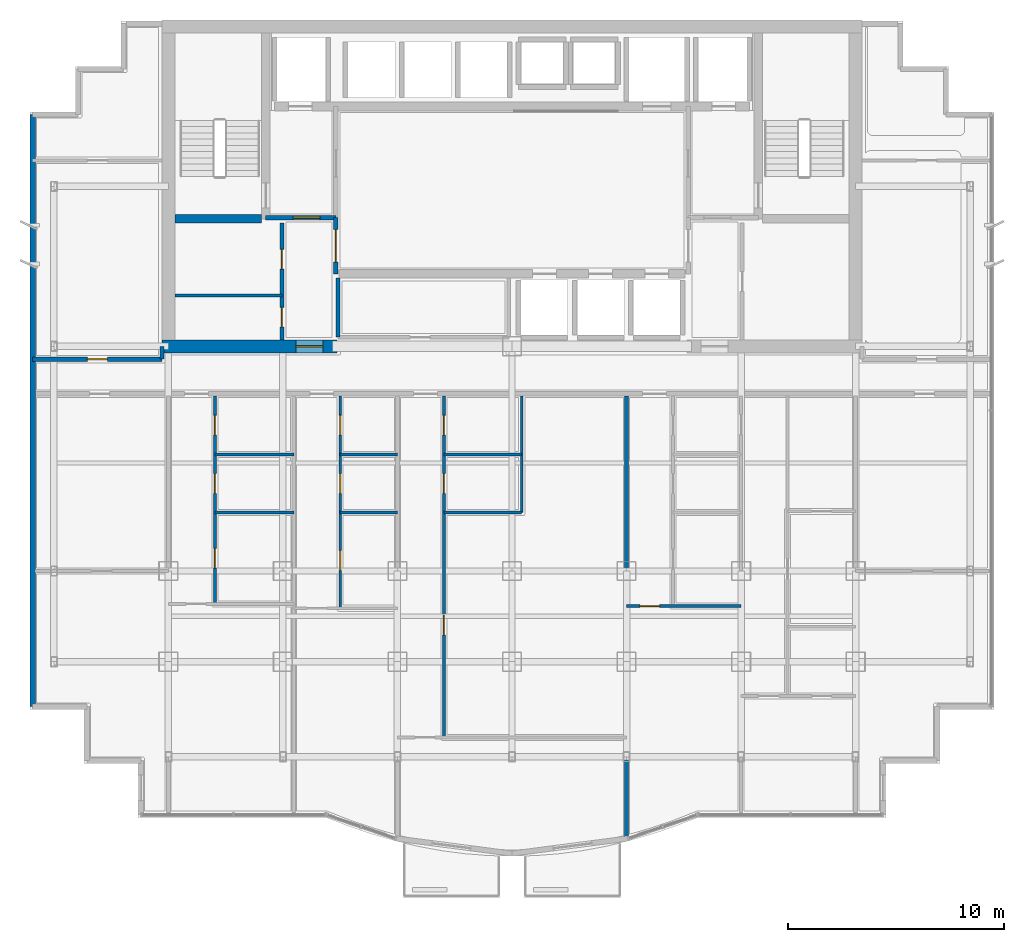
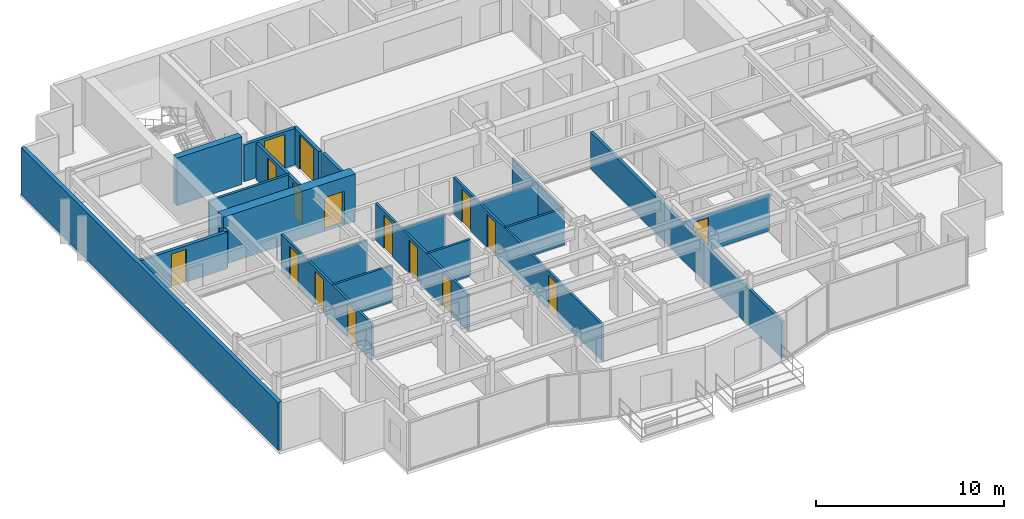
# One storey, part 8 of 13: 22 walls, 16 doors, 16 openings.
"""IFC4 building model written with IfcOpenShell, lengths in metres."""

from ifc_helpers import new_model, si_unit, direction, frame, frame_2d, origin, place, context, subcontext, project, spatial, rectangle, extrude, material, layer, layer_set, type_object, element, fill, save


model = new_model("IFC4")

# Units and contexts
model_context = context("Model", 3, precision=1e-05, world=origin(), true_north=direction((0.0, 1.0)))
body_context = subcontext(model_context, "Body", "Model", "MODEL_VIEW")
ifc_project = project(units=[si_unit("LENGTHUNIT", "METRE"), si_unit("AREAUNIT", "SQUARE_METRE"), si_unit("VOLUMEUNIT", "CUBIC_METRE"), si_unit("PLANEANGLEUNIT", "RADIAN"), si_unit("MASSUNIT", "GRAM", prefix="KILO")], contexts=[model_context])

# Site, building, storey
site_placement = place(None, origin())
site = spatial("IfcSite", under=ifc_project, at=site_placement, CompositionType="ELEMENT")
building_placement = place(site_placement, origin())
building = spatial("IfcBuilding", under=site, at=building_placement, Name="Qianlan Lanfeng Residences", CompositionType="ELEMENT")
storey_placement = place(building_placement, frame((0.0, 0.0, 139.199951171875)))
storey = spatial("IfcBuildingStorey", under=building, at=storey_placement, Name="L37", CompositionType="ELEMENT", Elevation=139.199951171875)

# Wall
ifc_material_1 = material(Name="Concrete C56", Category="concrete")
ifc_layer_1 = layer(ifc_material_1, 0.39990234375)
ifc_layer_set_1 = layer_set([ifc_layer_1], Name="Concrete C56")
wall_type_1 = type_object("IfcWallType", Name="CW-RC-400", PredefinedType="SHEAR", material=ifc_layer_set_1)
wall_1_placement = place(storey_placement, frame((10.89990234375, 31.10009765625, 0.0), z_axis=(0.0, 0.0, 1.0), x_axis=(1.0, 0.0, 0.0)))
element("IfcWall", 1, at=wall_1_placement, inside=storey, type_object=wall_type_1, Name="L37 Core Shear Wall ST1S", PredefinedType="SHEAR", context=body_context, shape_type="SweptSolid", body=[
    extrude(rectangle(XDim=4.0, YDim=0.39990234375, at=frame_2d((2.0, 0.0))), origin(), (0.0, 0.0, 1.0), 3.10009765625),
])

# Wall, opening, door
ifc_layer_2 = layer(ifc_material_1, 0.60009765625)
ifc_layer_set_2 = layer_set([ifc_layer_2], Name="Concrete C56")
wall_type_2 = type_object("IfcWallType", Name="CW-RC-600", PredefinedType="SHEAR", material=ifc_layer_set_2)
wall_2_placement = place(storey_placement, frame((10.300048828125, 25.199951171875, 0.0), z_axis=(0.0, 0.0, 1.0), x_axis=(1.0, 0.0, 0.0)))
wall_2 = element("IfcWall", 2, at=wall_2_placement, inside=storey, type_object=wall_type_2, Name="L37 Core Shear Wall SW", PredefinedType="SHEAR", context=body_context, shape_type="SweptSolid", body=[
    extrude(rectangle(XDim=8.099853515625, YDim=0.60009765625, at=frame_2d((4.0498046875, 0.0))), origin(), (0.0, 0.0, 1.0), 3.10009765625),
])
opening_1_placement = place(wall_2_placement, frame((6.199951171875, 0.0, 0.0)))
opening_1 = element("IfcOpeningElement", 3, at=opening_1_placement, cuts=wall_2, Name="Opening L37-D01", PredefinedType="OPENING", context=body_context, shape_type="SweptSolid", body=[
    extrude(rectangle(XDim=1.25, YDim=2.199951171875, at=frame_2d((0.625, 1.10009765625))), frame((0.0, 0.31005859375, 0.0), z_axis=(0.0, -1.0, 0.0), x_axis=(1.0, 0.0, 0.0)), (0.0, 0.0, 1.0), 0.6201171875),
])
ifc_material_2 = material(Name="Painted Galvanised Steel Fire Door", Category="steel")
door_type_1 = type_object("IfcDoorType", Name="DT-FFL", OperationType="NOTDEFINED", PredefinedType="DOOR", material=ifc_material_2)
door_1_placement = place(opening_1_placement, frame((1.25, 0.0, 0.0), z_axis=(0.0, 0.0, 1.0), x_axis=(-1.0, 0.0, 0.0)))
door_1 = element("IfcDoor", 4, at=door_1_placement, inside=storey, type_object=door_type_1, Name="L37 West Core Lobby Smoke Door L37-D01 (DT-FFL)", OperationType="SINGLE_SWING_RIGHT", OverallHeight=2.199951171875, OverallWidth=1.25, PredefinedType="DOOR", context=body_context, shape_type="SweptSolid", body=[
    extrude(rectangle(XDim=1.25, YDim=2.199951171875, at=frame_2d((0.625, 1.10009765625))), frame((0.0, 0.02490234375, 0.0), z_axis=(0.0, -1.0, 0.0), x_axis=(1.0, 0.0, 0.0)), (0.0, 0.0, 1.0), 0.050048828125),
])
fill(opening_1, door_1)

# Wall
ifc_material_3 = material(Name="Concrete C42", Category="concrete")
ifc_layer_3 = layer(ifc_material_3, 0.239990234375)
ifc_layer_set_3 = layer_set([ifc_layer_3], Name="Concrete C42")
wall_type_3 = type_object("IfcWallType", Name="EW-240", PredefinedType="SOLIDWALL", material=ifc_layer_set_3)
wall_3_placement = place(storey_placement, frame((4.320068359375, 35.929931640625, 0.0), z_axis=(0.0, 0.0, 1.0), x_axis=(0.0, -1.0, 0.0)))
element("IfcWall", 5, at=wall_3_placement, inside=storey, type_object=wall_type_3, Name="L37 Exterior Facade Spandrel Wall 21", PredefinedType="SOLIDWALL", context=body_context, shape_type="SweptSolid", body=[
    extrude(rectangle(XDim=27.409912109375, YDim=0.239990234375, at=frame_2d((13.705078125, 0.0))), origin(), (0.0, 0.0, 1.0), 3.10009765625),
])

# Wall, openings, doors
ifc_material_4 = material(Name="Moisture-Resistant Gypsum Partition 135 mm")
ifc_layer_4 = layer(ifc_material_4, 0.135009765625)
ifc_layer_set_4 = layer_set([ifc_layer_4], Name="Moisture-Resistant Gypsum Partition 135 mm")
wall_type_4 = type_object("IfcWallType", Name="PW-135", PredefinedType="PARTITIONING", material=ifc_layer_set_4)
wall_4_placement = place(storey_placement, frame((12.75, 13.27490234375, 0.0), z_axis=(0.0, 0.0, 1.0), x_axis=(0.0, 1.0, 0.0)))
wall_4 = element("IfcWall", 6, at=wall_4_placement, inside=storey, type_object=wall_type_4, Name="L37 U01 Entry Hall Spine", PredefinedType="PARTITIONING", context=body_context, shape_type="SweptSolid", body=[
    extrude(rectangle(XDim=9.625, YDim=0.135009765625, at=frame_2d((4.8125, 0.0))), origin(), (0.0, 0.0, 1.0), 2.380126953125),
])
opening_2_placement = place(wall_4_placement, frame((1.653076171875, 0.0, 0.0)))
opening_2 = element("IfcOpeningElement", 7, at=opening_2_placement, cuts=wall_4, Name="Opening L37-D17", PredefinedType="OPENING", context=body_context, shape_type="SweptSolid", body=[
    extrude(rectangle(XDim=0.919921875, YDim=2.14990234375, at=frame_2d((0.4599609375, 1.074951171875))), frame((0.0, 0.07763671875, 0.0), z_axis=(0.0, -1.0, 0.0), x_axis=(1.0, 0.0, 0.0)), (0.0, 0.0, 1.0), 0.155029296875),
])
opening_3_placement = place(wall_4_placement, frame((5.114990234375, 0.0, 0.0)))
opening_3 = element("IfcOpeningElement", 8, at=opening_3_placement, cuts=wall_4, Name="Opening L37-D18", PredefinedType="OPENING", context=body_context, shape_type="SweptSolid", body=[
    extrude(rectangle(XDim=0.919921875, YDim=2.14990234375, at=frame_2d((0.4599609375, 1.074951171875))), frame((0.0, 0.07763671875, 0.0), z_axis=(0.0, -1.0, 0.0), x_axis=(1.0, 0.0, 0.0)), (0.0, 0.0, 1.0), 0.155029296875),
])
opening_4_placement = place(wall_4_placement, frame((7.824951171875, 0.0, 0.0)))
opening_4 = element("IfcOpeningElement", 9, at=opening_4_placement, cuts=wall_4, Name="Opening L37-D19", PredefinedType="OPENING", context=body_context, shape_type="SweptSolid", body=[
    extrude(rectangle(XDim=0.89990234375, YDim=2.14990234375, at=frame_2d((0.449951171875, 1.074951171875))), frame((0.0, 0.07763671875, 0.0), z_axis=(0.0, -1.0, 0.0), x_axis=(1.0, 0.0, 0.0)), (0.0, 0.0, 1.0), 0.155029296875),
])
ifc_material_5 = material(Name="Glazed Timber Kitchen/Study Door", Category="wood")
door_type_2 = type_object("IfcDoorType", Name="DT-INT", OperationType="NOTDEFINED", PredefinedType="DOOR", material=ifc_material_5)
door_2_placement = place(opening_2_placement, origin())
door_2 = element("IfcDoor", 10, at=door_2_placement, inside=storey, type_object=door_type_2, Name="L37 U01 Study Door L37-D17 (DT-INT)", OperationType="SINGLE_SWING_LEFT", OverallHeight=2.14990234375, OverallWidth=0.919921875, PredefinedType="DOOR", context=body_context, shape_type="SweptSolid", body=[
    extrude(rectangle(XDim=0.919921875, YDim=2.14990234375, at=frame_2d((0.4599609375, 1.074951171875))), frame((0.0, 0.02490234375, 0.0), z_axis=(0.0, -1.0, 0.0), x_axis=(1.0, 0.0, 0.0)), (0.0, 0.0, 1.0), 0.050048828125),
])
fill(opening_2, door_2)
door_3_placement = place(opening_3_placement, origin())
door_3 = element("IfcDoor", 11, at=door_3_placement, inside=storey, type_object=door_type_2, Name="L37 U01 Kitchen Door L37-D18 (DT-INT)", OperationType="SINGLE_SWING_RIGHT", OverallHeight=2.14990234375, OverallWidth=0.919921875, PredefinedType="DOOR", context=body_context, shape_type="SweptSolid", body=[
    extrude(rectangle(XDim=0.919921875, YDim=2.14990234375, at=frame_2d((0.4599609375, 1.074951171875))), frame((0.0, 0.02490234375, 0.0), z_axis=(0.0, -1.0, 0.0), x_axis=(1.0, 0.0, 0.0)), (0.0, 0.0, 1.0), 0.050048828125),
])
fill(opening_3, door_3)
ifc_material_6 = material(Name="Moisture-Resistant Timber Leaf", Category="wood")
door_type_3 = type_object("IfcDoorType", Name="DT-WC", OperationType="NOTDEFINED", PredefinedType="DOOR", material=ifc_material_6)
door_4_placement = place(opening_4_placement, origin())
door_4 = element("IfcDoor", 12, at=door_4_placement, inside=storey, type_object=door_type_3, Name="L37 U01 Bathroom Door L37-D19 (DT-WC)", OperationType="SINGLE_SWING_LEFT", OverallHeight=2.14990234375, OverallWidth=0.89990234375, PredefinedType="DOOR", context=body_context, shape_type="SweptSolid", body=[
    extrude(rectangle(XDim=0.89990234375, YDim=2.14990234375, at=frame_2d((0.449951171875, 1.074951171875))), frame((0.0, 0.02490234375, 0.0), z_axis=(0.0, -1.0, 0.0), x_axis=(1.0, 0.0, 0.0)), (0.0, 0.0, 1.0), 0.050048828125),
])
fill(opening_4, door_4)

# Walls
for number, where, z_axis, x_axis, name in (
    (13, (12.75, 17.5, 0.0), (0.0, 0.0, 1.0), (1.0, 0.0, 0.0), "L37 U01 Kitchen South Wall"),
    (14, (12.75, 20.199951171875, 0.0), (0.0, 0.0, 1.0), (1.0, 0.0, 0.0), "L37 U01 Bathroom South Wall"),
):
    element("IfcWall", number, at=place(storey_placement, frame(where, z_axis=z_axis, x_axis=x_axis)), inside=storey, type_object=wall_type_4, Name=name, PredefinedType="PARTITIONING", context=body_context, shape_type="SweptSolid", body=[
        extrude(rectangle(XDim=3.64990234375, YDim=0.135009765625, at=frame_2d((1.824951171875, 0.0))), origin(), (0.0, 0.0, 1.0), 2.380126953125),
    ])

# Wall, openings, doors
wall_5_placement = place(storey_placement, frame((18.550048828125, 13.075927734375, 0.0), z_axis=(0.0, 0.0, 1.0), x_axis=(0.0, 1.0, 0.0)))
wall_5 = element("IfcWall", 15, at=wall_5_placement, inside=storey, type_object=wall_type_4, Name="L37 U02 Entry Hall Spine", PredefinedType="PARTITIONING", context=body_context, shape_type="SweptSolid", body=[
    extrude(rectangle(XDim=9.823974609375, YDim=0.135009765625, at=frame_2d((4.912109375, 0.0))), origin(), (0.0, 0.0, 1.0), 2.380126953125),
])
opening_5_placement = place(wall_5_placement, frame((1.751953125, 0.0, 0.0)))
opening_5 = element("IfcOpeningElement", 16, at=opening_5_placement, cuts=wall_5, Name="Opening L37-D22", PredefinedType="OPENING", context=body_context, shape_type="SweptSolid", body=[
    extrude(rectangle(XDim=0.919921875, YDim=2.14990234375, at=frame_2d((0.4599609375, 1.074951171875))), frame((0.0, 0.07763671875, 0.0), z_axis=(0.0, -1.0, 0.0), x_axis=(1.0, 0.0, 0.0)), (0.0, 0.0, 1.0), 0.155029296875),
])
opening_6_placement = place(wall_5_placement, frame((5.31396484375, 0.0, 0.0)))
opening_6 = element("IfcOpeningElement", 17, at=opening_6_placement, cuts=wall_5, Name="Opening L37-D23", PredefinedType="OPENING", context=body_context, shape_type="SweptSolid", body=[
    extrude(rectangle(XDim=0.919921875, YDim=2.14990234375, at=frame_2d((0.4599609375, 1.074951171875))), frame((0.0, 0.07763671875, 0.0), z_axis=(0.0, -1.0, 0.0), x_axis=(1.0, 0.0, 0.0)), (0.0, 0.0, 1.0), 0.155029296875),
])
opening_7_placement = place(wall_5_placement, frame((8.02392578125, 0.0, 0.0)))
opening_7 = element("IfcOpeningElement", 18, at=opening_7_placement, cuts=wall_5, Name="Opening L37-D24", PredefinedType="OPENING", context=body_context, shape_type="SweptSolid", body=[
    extrude(rectangle(XDim=0.89990234375, YDim=2.14990234375, at=frame_2d((0.449951171875, 1.074951171875))), frame((0.0, 0.07763671875, 0.0), z_axis=(0.0, -1.0, 0.0), x_axis=(1.0, 0.0, 0.0)), (0.0, 0.0, 1.0), 0.155029296875),
])
door_5_placement = place(opening_5_placement, origin())
door_5 = element("IfcDoor", 19, at=door_5_placement, inside=storey, type_object=door_type_2, Name="L37 U02 Study Door L37-D22 (DT-INT)", OperationType="SINGLE_SWING_RIGHT", OverallHeight=2.14990234375, OverallWidth=0.919921875, PredefinedType="DOOR", context=body_context, shape_type="SweptSolid", body=[
    extrude(rectangle(XDim=0.919921875, YDim=2.14990234375, at=frame_2d((0.4599609375, 1.074951171875))), frame((0.0, 0.02490234375, 0.0), z_axis=(0.0, -1.0, 0.0), x_axis=(1.0, 0.0, 0.0)), (0.0, 0.0, 1.0), 0.050048828125),
])
fill(opening_5, door_5)
door_6_placement = place(opening_6_placement, origin())
door_6 = element("IfcDoor", 20, at=door_6_placement, inside=storey, type_object=door_type_2, Name="L37 U02 Kitchen Door L37-D23 (DT-INT)", OperationType="SINGLE_SWING_LEFT", OverallHeight=2.14990234375, OverallWidth=0.919921875, PredefinedType="DOOR", context=body_context, shape_type="SweptSolid", body=[
    extrude(rectangle(XDim=0.919921875, YDim=2.14990234375, at=frame_2d((0.4599609375, 1.074951171875))), frame((0.0, 0.02490234375, 0.0), z_axis=(0.0, -1.0, 0.0), x_axis=(1.0, 0.0, 0.0)), (0.0, 0.0, 1.0), 0.050048828125),
])
fill(opening_6, door_6)
door_7_placement = place(opening_7_placement, origin())
door_7 = element("IfcDoor", 21, at=door_7_placement, inside=storey, type_object=door_type_3, Name="L37 U02 Bathroom Door L37-D24 (DT-WC)", OperationType="SINGLE_SWING_RIGHT", OverallHeight=2.14990234375, OverallWidth=0.89990234375, PredefinedType="DOOR", context=body_context, shape_type="SweptSolid", body=[
    extrude(rectangle(XDim=0.89990234375, YDim=2.14990234375, at=frame_2d((0.449951171875, 1.074951171875))), frame((0.0, 0.02490234375, 0.0), z_axis=(0.0, -1.0, 0.0), x_axis=(1.0, 0.0, 0.0)), (0.0, 0.0, 1.0), 0.050048828125),
])
fill(opening_7, door_7)

# Walls
for number, where, z_axis, x_axis, name in (
    (22, (18.550048828125, 17.5, 0.0), (0.0, 0.0, 1.0), (1.0, 0.0, 0.0), "L37 U02 Kitchen South Wall"),
    (23, (18.550048828125, 20.199951171875, 0.0), (0.0, 0.0, 1.0), (1.0, 0.0, 0.0), "L37 U02 Bathroom South Wall"),
):
    element("IfcWall", number, at=place(storey_placement, frame(where, z_axis=z_axis, x_axis=x_axis)), inside=storey, type_object=wall_type_4, Name=name, PredefinedType="PARTITIONING", context=body_context, shape_type="SweptSolid", body=[
        extrude(rectangle(XDim=2.64990234375, YDim=0.135009765625, at=frame_2d((1.324951171875, 0.0))), origin(), (0.0, 0.0, 1.0), 2.380126953125),
    ])

# Wall, openings, doors
wall_6_placement = place(storey_placement, frame((23.35009765625, 7.10302734375, 0.0), z_axis=(0.0, 0.0, 1.0), x_axis=(0.0, 1.0, 0.0)))
wall_6 = element("IfcWall", 24, at=wall_6_placement, inside=storey, type_object=wall_type_4, Name="L37 U03 Entry Hall Spine", PredefinedType="PARTITIONING", context=body_context, shape_type="SweptSolid", body=[
    extrude(rectangle(XDim=15.796875, YDim=0.135009765625, at=frame_2d((7.8984375, 0.0))), origin(), (0.0, 0.0, 1.0), 2.380126953125),
])
opening_8_placement = place(wall_6_placement, frame((4.739013671875, 0.0, 0.0)))
opening_8 = element("IfcOpeningElement", 25, at=opening_8_placement, cuts=wall_6, Name="Opening L37-D27", PredefinedType="OPENING", context=body_context, shape_type="SweptSolid", body=[
    extrude(rectangle(XDim=0.919921875, YDim=2.14990234375, at=frame_2d((0.4599609375, 1.074951171875))), frame((0.0, 0.07763671875, 0.0), z_axis=(0.0, -1.0, 0.0), x_axis=(1.0, 0.0, 0.0)), (0.0, 0.0, 1.0), 0.155029296875),
])
opening_9_placement = place(wall_6_placement, frame((11.287109375, 0.0, 0.0)))
opening_9 = element("IfcOpeningElement", 26, at=opening_9_placement, cuts=wall_6, Name="Opening L37-D28", PredefinedType="OPENING", context=body_context, shape_type="SweptSolid", body=[
    extrude(rectangle(XDim=0.919921875, YDim=2.14990234375, at=frame_2d((0.4599609375, 1.074951171875))), frame((0.0, 0.07763671875, 0.0), z_axis=(0.0, -1.0, 0.0), x_axis=(1.0, 0.0, 0.0)), (0.0, 0.0, 1.0), 0.155029296875),
])
opening_10_placement = place(wall_6_placement, frame((13.9970703125, 0.0, 0.0)))
opening_10 = element("IfcOpeningElement", 27, at=opening_10_placement, cuts=wall_6, Name="Opening L37-D29", PredefinedType="OPENING", context=body_context, shape_type="SweptSolid", body=[
    extrude(rectangle(XDim=0.89990234375, YDim=2.14990234375, at=frame_2d((0.449951171875, 1.074951171875))), frame((0.0, 0.07763671875, 0.0), z_axis=(0.0, -1.0, 0.0), x_axis=(1.0, 0.0, 0.0)), (0.0, 0.0, 1.0), 0.155029296875),
])
door_8_placement = place(opening_8_placement, origin())
door_8 = element("IfcDoor", 28, at=door_8_placement, inside=storey, type_object=door_type_2, Name="L37 U03 Study Door L37-D27 (DT-INT)", OperationType="SINGLE_SWING_LEFT", OverallHeight=2.14990234375, OverallWidth=0.919921875, PredefinedType="DOOR", context=body_context, shape_type="SweptSolid", body=[
    extrude(rectangle(XDim=0.919921875, YDim=2.14990234375, at=frame_2d((0.4599609375, 1.074951171875))), frame((0.0, 0.02490234375, 0.0), z_axis=(0.0, -1.0, 0.0), x_axis=(1.0, 0.0, 0.0)), (0.0, 0.0, 1.0), 0.050048828125),
])
fill(opening_8, door_8)
door_9_placement = place(opening_9_placement, origin())
door_9 = element("IfcDoor", 29, at=door_9_placement, inside=storey, type_object=door_type_2, Name="L37 U03 Kitchen Door L37-D28 (DT-INT)", OperationType="SINGLE_SWING_RIGHT", OverallHeight=2.14990234375, OverallWidth=0.919921875, PredefinedType="DOOR", context=body_context, shape_type="SweptSolid", body=[
    extrude(rectangle(XDim=0.919921875, YDim=2.14990234375, at=frame_2d((0.4599609375, 1.074951171875))), frame((0.0, 0.02490234375, 0.0), z_axis=(0.0, -1.0, 0.0), x_axis=(1.0, 0.0, 0.0)), (0.0, 0.0, 1.0), 0.050048828125),
])
fill(opening_9, door_9)
door_10_placement = place(opening_10_placement, origin())
door_10 = element("IfcDoor", 30, at=door_10_placement, inside=storey, type_object=door_type_3, Name="L37 U03 Bathroom Door L37-D29 (DT-WC)", OperationType="SINGLE_SWING_LEFT", OverallHeight=2.14990234375, OverallWidth=0.89990234375, PredefinedType="DOOR", context=body_context, shape_type="SweptSolid", body=[
    extrude(rectangle(XDim=0.89990234375, YDim=2.14990234375, at=frame_2d((0.449951171875, 1.074951171875))), frame((0.0, 0.02490234375, 0.0), z_axis=(0.0, -1.0, 0.0), x_axis=(1.0, 0.0, 0.0)), (0.0, 0.0, 1.0), 0.050048828125),
])
fill(opening_10, door_10)

# Walls
wall_7_placement = place(storey_placement, frame((23.35009765625, 17.5, 0.0), z_axis=(0.0, 0.0, 1.0), x_axis=(1.0, 0.0, 0.0)))
element("IfcWall", 31, at=wall_7_placement, inside=storey, type_object=wall_type_4, Name="L37 U03 Kitchen South Wall", PredefinedType="PARTITIONING", context=body_context, shape_type="SweptSolid", body=[
    extrude(rectangle(XDim=3.599853515625, YDim=0.135009765625, at=frame_2d((1.7998046875, 0.0))), origin(), (0.0, 0.0, 1.0), 2.380126953125),
])
wall_8_placement = place(storey_placement, frame((26.949951171875, 17.5, 0.0), z_axis=(0.0, 0.0, 1.0), x_axis=(0.0, 1.0, 0.0)))
element("IfcWall", 32, at=wall_8_placement, inside=storey, type_object=wall_type_4, Name="L37 U03 Dining East Wall", PredefinedType="PARTITIONING", context=body_context, shape_type="SweptSolid", body=[
    extrude(rectangle(XDim=5.39990234375, YDim=0.135009765625, at=frame_2d((2.699951171875, 0.0))), origin(), (0.0, 0.0, 1.0), 2.380126953125),
])
wall_9_placement = place(storey_placement, frame((23.35009765625, 20.199951171875, 0.0), z_axis=(0.0, 0.0, 1.0), x_axis=(1.0, 0.0, 0.0)))
element("IfcWall", 33, at=wall_9_placement, inside=storey, type_object=wall_type_4, Name="L37 U03 Bathroom South Wall", PredefinedType="PARTITIONING", context=body_context, shape_type="SweptSolid", body=[
    extrude(rectangle(XDim=3.599853515625, YDim=0.135009765625, at=frame_2d((1.7998046875, 0.0))), origin(), (0.0, 0.0, 1.0), 2.380126953125),
])

# Wall, opening, door
wall_10_placement = place(storey_placement, frame((31.800048828125, 13.174072265625, 0.0), z_axis=(0.0, 0.0, 1.0), x_axis=(1.0, 0.0, 0.0)))
wall_10 = element("IfcWall", 34, at=wall_10_placement, inside=storey, type_object=wall_type_4, Name="L37 U04 Living Divider", PredefinedType="PARTITIONING", context=body_context, shape_type="SweptSolid", body=[
    extrude(rectangle(XDim=5.300048828125, YDim=0.135009765625, at=frame_2d((2.64990234375, 0.0))), origin(), (0.0, 0.0, 1.0), 2.380126953125),
])
opening_11_placement = place(wall_10_placement, frame((0.614990234375, 0.0, 0.0)))
opening_11 = element("IfcOpeningElement", 35, at=opening_11_placement, cuts=wall_10, Name="Opening L37-D32", PredefinedType="OPENING", context=body_context, shape_type="SweptSolid", body=[
    extrude(rectangle(XDim=0.919921875, YDim=2.14990234375, at=frame_2d((0.4599609375, 1.074951171875))), frame((0.0, 0.07763671875, 0.0), z_axis=(0.0, -1.0, 0.0), x_axis=(1.0, 0.0, 0.0)), (0.0, 0.0, 1.0), 0.155029296875),
])
door_11_placement = place(opening_11_placement, frame((0.919921875, 0.0, 0.0), z_axis=(0.0, 0.0, 1.0), x_axis=(-1.0, 0.0, 0.0)))
door_11 = element("IfcDoor", 36, at=door_11_placement, inside=storey, type_object=door_type_2, Name="L37 U04 Living Passage Door L37-D32 (DT-INT)", OperationType="SINGLE_SWING_RIGHT", OverallHeight=2.14990234375, OverallWidth=0.919921875, PredefinedType="DOOR", context=body_context, shape_type="SweptSolid", body=[
    extrude(rectangle(XDim=0.919921875, YDim=2.14990234375, at=frame_2d((0.4599609375, 1.074951171875))), frame((0.0, 0.02490234375, 0.0), z_axis=(0.0, -1.0, 0.0), x_axis=(1.0, 0.0, 0.0)), (0.0, 0.0, 1.0), 0.050048828125),
])
fill(opening_11, door_11)

# Wall
ifc_material_7 = material(Name="Acoustic Drywall Partition 150 mm")
ifc_layer_5 = layer(ifc_material_7, 0.14990234375)
ifc_layer_set_5 = layer_set([ifc_layer_5], Name="Acoustic Drywall Partition 150 mm")
wall_type_5 = type_object("IfcWallType", Name="PW-150", PredefinedType="PARTITIONING", material=ifc_layer_set_5)
wall_11_placement = place(storey_placement, frame((10.89990234375, 27.550048828125, 0.0), z_axis=(0.0, 0.0, 1.0), x_axis=(1.0, 0.0, 0.0)))
element("IfcWall", 37, at=wall_11_placement, inside=storey, type_object=wall_type_5, Name="L37 Core West Split", PredefinedType="PARTITIONING", context=body_context, shape_type="SweptSolid", body=[
    extrude(rectangle(XDim=4.9501953125, YDim=0.14990234375, at=frame_2d((2.47509765625, 0.0))), origin(), (0.0, 0.0, 1.0), 2.380126953125),
])

# Wall, openings, doors
ifc_material_8 = material(Name="Double-Layer Acoustic Gypsum Stud Wall 180 mm")
ifc_layer_6 = layer(ifc_material_8, 0.179931640625)
ifc_layer_set_6 = layer_set([ifc_layer_6], Name="Double-Layer Acoustic Gypsum Stud Wall 180 mm")
wall_type_6 = type_object("IfcWallType", Name="PW-180", PredefinedType="PARTITIONING", material=ifc_layer_set_6)
wall_12_placement = place(storey_placement, frame((15.85009765625, 25.5, 0.0), z_axis=(0.0, 0.0, 1.0), x_axis=(0.0, 1.0, 0.0)))
wall_12 = element("IfcWall", 38, at=wall_12_placement, inside=storey, type_object=wall_type_6, Name="L37 Core West Service Room Wall", PredefinedType="PARTITIONING", context=body_context, shape_type="SweptSolid", body=[
    extrude(rectangle(XDim=5.39990234375, YDim=0.179931640625, at=frame_2d((2.699951171875, 0.0))), origin(), (0.0, 0.0, 1.0), 2.380126953125),
])
opening_12_placement = place(wall_12_placement, frame((0.60009765625, 0.0, 0.0)))
opening_12 = element("IfcOpeningElement", 39, at=opening_12_placement, cuts=wall_12, Name="Opening L37-D09", PredefinedType="OPENING", context=body_context, shape_type="SweptSolid", body=[
    extrude(rectangle(XDim=0.89990234375, YDim=2.14990234375, at=frame_2d((0.449951171875, 1.074951171875))), frame((0.0, 0.10009765625, 0.0), z_axis=(0.0, -1.0, 0.0), x_axis=(1.0, 0.0, 0.0)), (0.0, 0.0, 1.0), 0.199951171875),
])
opening_13_placement = place(wall_12_placement, frame((3.264892578125, 0.0, 0.0)))
opening_13 = element("IfcOpeningElement", 40, at=opening_13_placement, cuts=wall_12, Name="Opening L37-D10", PredefinedType="OPENING", context=body_context, shape_type="SweptSolid", body=[
    extrude(rectangle(XDim=0.919921875, YDim=2.14990234375, at=frame_2d((0.4599609375, 1.074951171875))), frame((0.0, 0.10009765625, 0.0), z_axis=(0.0, -1.0, 0.0), x_axis=(1.0, 0.0, 0.0)), (0.0, 0.0, 1.0), 0.199951171875),
])
door_12_placement = place(opening_13_placement, origin())
door_12 = element("IfcDoor", 41, at=door_12_placement, inside=storey, type_object=door_type_2, Name="L37 Janitor Closet Door L37-D10 (DT-INT)", OperationType="SINGLE_SWING_RIGHT", OverallHeight=2.14990234375, OverallWidth=0.919921875, PredefinedType="DOOR", context=body_context, shape_type="SweptSolid", body=[
    extrude(rectangle(XDim=0.919921875, YDim=2.14990234375, at=frame_2d((0.4599609375, 1.074951171875))), frame((0.0, 0.02490234375, 0.0), z_axis=(0.0, -1.0, 0.0), x_axis=(1.0, 0.0, 0.0)), (0.0, 0.0, 1.0), 0.050048828125),
])
fill(opening_13, door_12)
door_13_placement = place(opening_12_placement, frame((0.89990234375, 0.0, 0.0), z_axis=(0.0, 0.0, 1.0), x_axis=(-1.0, 0.0, 0.0)))
door_13 = element("IfcDoor", 42, at=door_13_placement, inside=storey, type_object=door_type_3, Name="L37 Core Staff WC Door L37-D09 (DT-WC)", OperationType="SINGLE_SWING_RIGHT", OverallHeight=2.14990234375, OverallWidth=0.89990234375, PredefinedType="DOOR", context=body_context, shape_type="SweptSolid", body=[
    extrude(rectangle(XDim=0.89990234375, YDim=2.14990234375, at=frame_2d((0.449951171875, 1.074951171875))), frame((0.0, 0.02490234375, 0.0), z_axis=(0.0, -1.0, 0.0), x_axis=(1.0, 0.0, 0.0)), (0.0, 0.0, 1.0), 0.050048828125),
])
fill(opening_12, door_13)

# Walls
wall_13_placement = place(storey_placement, frame((18.449951171875, 25.6201171875, 0.0), z_axis=(0.0, 0.0, 1.0), x_axis=(0.0, 1.0, 0.0)))
element("IfcWall", 43, at=wall_13_placement, inside=storey, type_object=wall_type_6, Name="L37 Reclaimed Low-Bank Room West Wall", PredefinedType="PARTITIONING", context=body_context, shape_type="SweptSolid", body=[
    extrude(rectangle(XDim=2.72998046875, YDim=0.179931640625, at=frame_2d((1.364990234375, 0.0))), origin(), (0.0, 0.0, 1.0), 2.380126953125),
])
wall_14_placement = place(storey_placement, frame((31.800048828125, 2.509033203125, 0.0), z_axis=(0.0, 0.0, 1.0), x_axis=(0.0, 1.0, 0.0)))
element("IfcWall", 44, at=wall_14_placement, inside=storey, type_object=wall_type_6, Name="L37 Inter-Tenancy Party Wall 4", PredefinedType="PARTITIONING", context=body_context, shape_type="SweptSolid", body=[
    extrude(rectangle(XDim=20.390869140625, YDim=0.179931640625, at=frame_2d((10.1953125, 0.0))), origin(), (0.0, 0.0, 1.0), 2.380126953125),
])

# Wall, opening, door
ifc_material_9 = material(Name="Autoclaved Aerated Concrete Blockwork 200 mm", Category="masonry")
ifc_layer_7 = layer(ifc_material_9, 0.199951171875)
ifc_layer_set_7 = layer_set([ifc_layer_7], Name="Autoclaved Aerated Concrete Blockwork 200 mm")
wall_type_7 = type_object("IfcWallType", Name="PW-200", PredefinedType="PARTITIONING", material=ifc_layer_set_7)
wall_15_placement = place(storey_placement, frame((15.10009765625, 31.14990234375, 0.0), z_axis=(0.0, 0.0, 1.0), x_axis=(1.0, 0.0, 0.0)))
wall_15 = element("IfcWall", 45, at=wall_15_placement, inside=storey, type_object=wall_type_7, Name="L37 Firefighting Lobby 1 South Wall", PredefinedType="PARTITIONING", context=body_context, shape_type="SweptSolid", body=[
    extrude(rectangle(XDim=3.25, YDim=0.199951171875, at=frame_2d((1.625, 0.0))), origin(), (0.0, 0.0, 1.0), 2.380126953125),
])
opening_14_placement = place(wall_15_placement, frame((1.27490234375, 0.0, 0.0)))
opening_14 = element("IfcOpeningElement", 46, at=opening_14_placement, cuts=wall_15, Name="Opening L37-D03", PredefinedType="OPENING", context=body_context, shape_type="SweptSolid", body=[
    extrude(rectangle(XDim=1.25, YDim=2.199951171875, at=frame_2d((0.625, 1.10009765625))), frame((0.0, 0.10986328125, 0.0), z_axis=(0.0, -1.0, 0.0), x_axis=(1.0, 0.0, 0.0)), (0.0, 0.0, 1.0), 0.219970703125),
])
door_14_placement = place(opening_14_placement, origin())
door_14 = element("IfcDoor", 47, at=door_14_placement, inside=storey, type_object=door_type_1, Name="L37 Firefighting Lobby 1 Entry Door L37-D03 (DT-FFL)", OperationType="SINGLE_SWING_LEFT", OverallHeight=2.199951171875, OverallWidth=1.25, PredefinedType="DOOR", context=body_context, shape_type="SweptSolid", body=[
    extrude(rectangle(XDim=1.25, YDim=2.199951171875, at=frame_2d((0.625, 1.10009765625))), frame((0.0, 0.02490234375, 0.0), z_axis=(0.0, -1.0, 0.0), x_axis=(1.0, 0.0, 0.0)), (0.0, 0.0, 1.0), 0.050048828125),
])
fill(opening_14, door_14)

wall_16_placement = place(storey_placement, frame((18.35009765625, 28.550048828125, 0.0), z_axis=(0.0, 0.0, 1.0), x_axis=(0.0, 1.0, 0.0)))
wall_16 = element("IfcWall", 48, at=wall_16_placement, inside=storey, type_object=wall_type_7, Name="L37 Lift Lobby West Connector Wall", PredefinedType="PARTITIONING", context=body_context, shape_type="SweptSolid", body=[
    extrude(rectangle(XDim=2.599853515625, YDim=0.199951171875, at=frame_2d((1.2998046875, 0.0))), origin(), (0.0, 0.0, 1.0), 2.380126953125),
])
opening_15_placement = place(wall_16_placement, frame((0.550048828125, 0.0, 0.0)))
opening_15 = element("IfcOpeningElement", 49, at=opening_15_placement, cuts=wall_16, Name="Opening L37-D12", PredefinedType="OPENING", context=body_context, shape_type="SweptSolid", body=[
    extrude(rectangle(XDim=1.5, YDim=2.25, at=frame_2d((0.75, 1.125))), frame((0.0, 0.10986328125, 0.0), z_axis=(0.0, -1.0, 0.0), x_axis=(1.0, 0.0, 0.0)), (0.0, 0.0, 1.0), 0.219970703125),
])
ifc_material_10 = material(Name="Timber Veneer Acoustic Fire Door", Category="wood")
door_type_4 = type_object("IfcDoorType", Name="DT-COR1", OperationType="NOTDEFINED", PredefinedType="DOOR", material=ifc_material_10)
door_15_placement = place(opening_15_placement, origin())
door_15 = element("IfcDoor", 50, at=door_15_placement, inside=storey, type_object=door_type_4, Name="L37 Lift Lobby West Portal Door L37-D12 (DT-COR1)", OperationType="DOUBLE_DOOR_SINGLE_SWING", OverallHeight=2.25, OverallWidth=1.5, PredefinedType="DOOR", context=body_context, shape_type="SweptSolid", body=[
    extrude(rectangle(XDim=1.5, YDim=2.25, at=frame_2d((0.75, 1.125))), frame((0.0, 0.02490234375, 0.0), z_axis=(0.0, -1.0, 0.0), x_axis=(1.0, 0.0, 0.0)), (0.0, 0.0, 1.0), 0.050048828125),
])
fill(opening_15, door_15)

wall_17_placement = place(storey_placement, frame((4.320068359375, 24.60009765625, 0.0), z_axis=(0.0, 0.0, 1.0), x_axis=(1.0, 0.0, 0.0)))
wall_17 = element("IfcWall", 51, at=wall_17_placement, inside=storey, type_object=wall_type_7, Name="L37 Corridor NW Wall", PredefinedType="PARTITIONING", context=body_context, shape_type="SweptSolid", body=[
    extrude(rectangle(XDim=5.97998046875, YDim=0.199951171875, at=frame_2d((2.989990234375, 0.0))), origin(), (0.0, 0.0, 1.0), 2.380126953125),
])
opening_16_placement = place(wall_17_placement, frame((2.530029296875, 0.0, 0.0)))
opening_16 = element("IfcOpeningElement", 52, at=opening_16_placement, cuts=wall_17, Name="Opening L37-D45", PredefinedType="OPENING", context=body_context, shape_type="SweptSolid", body=[
    extrude(rectangle(XDim=0.919921875, YDim=2.14990234375, at=frame_2d((0.4599609375, 1.074951171875))), frame((0.0, 0.10986328125, 0.0), z_axis=(0.0, -1.0, 0.0), x_axis=(1.0, 0.0, 0.0)), (0.0, 0.0, 1.0), 0.219970703125),
])
door_16_placement = place(opening_16_placement, origin())
door_16 = element("IfcDoor", 53, at=door_16_placement, inside=storey, type_object=door_type_2, Name="L37 WW Amenity Salon Door L37-D45 (DT-INT)", OperationType="SINGLE_SWING_LEFT", OverallHeight=2.14990234375, OverallWidth=0.919921875, PredefinedType="DOOR", context=body_context, shape_type="SweptSolid", body=[
    extrude(rectangle(XDim=0.919921875, YDim=2.14990234375, at=frame_2d((0.4599609375, 1.074951171875))), frame((0.0, 0.02490234375, 0.0), z_axis=(0.0, -1.0, 0.0), x_axis=(1.0, 0.0, 0.0)), (0.0, 0.0, 1.0), 0.050048828125),
])
fill(opening_16, door_16)

# Wall
wall_18_placement = place(storey_placement, frame((10.300048828125, 24.60009765625, 0.0), z_axis=(0.0, 0.0, 1.0), x_axis=(0.0, 1.0, 0.0)))
element("IfcWall", 54, at=wall_18_placement, inside=storey, type_object=wall_type_7, Name="L37 NW Wing Core Return Wall", PredefinedType="PARTITIONING", context=body_context, shape_type="SweptSolid", body=[
    extrude(rectangle(XDim=0.599853515625, YDim=0.199951171875, at=frame_2d((0.2998046875, 0.0))), origin(), (0.0, 0.0, 1.0), 2.380126953125),
])

save(model, "model.ifc")
